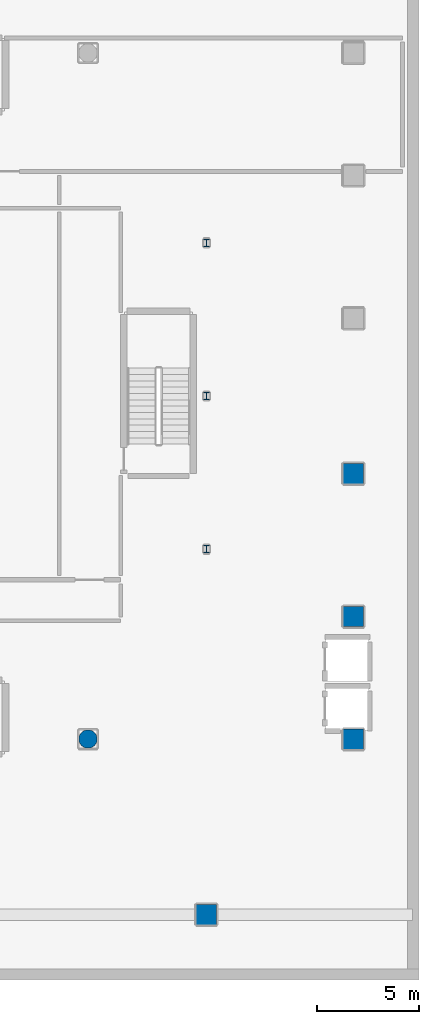
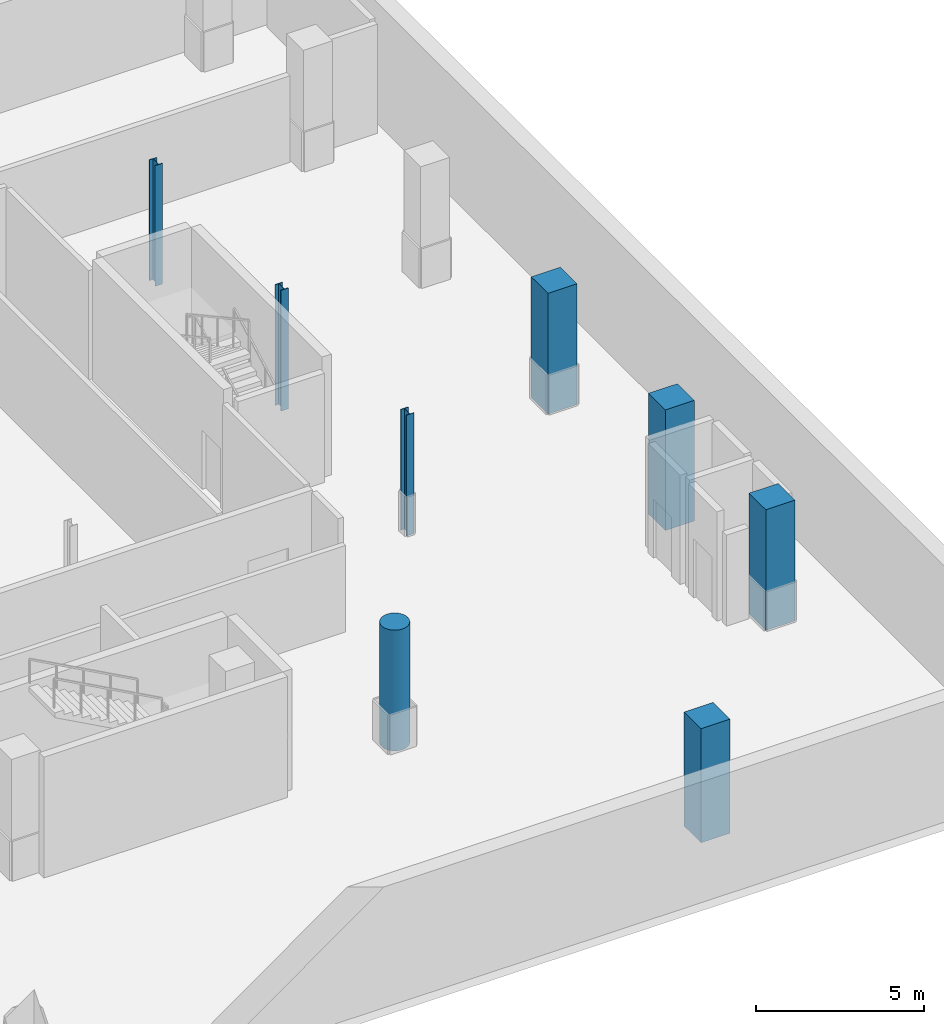
# One storey, part 5 of 22: 8 columns.
"""IFC4 building model written with IfcOpenShell, lengths in metres."""

from ifc_helpers import new_model, si_unit, direction, frame, origin, origin_2d, place, context, subcontext, project, spatial, rectangle, circle, i_section, extrude, material, material_profile, profile_set, type_object, element, save


model = new_model("IFC4")

# Units and contexts
model_context = context("Model", 3, precision=1e-05, world=origin(), true_north=direction((0.0, 1.0)))
body_context = subcontext(model_context, "Body", "Model", "MODEL_VIEW")
ifc_project = project(units=[si_unit("LENGTHUNIT", "METRE"), si_unit("AREAUNIT", "SQUARE_METRE"), si_unit("VOLUMEUNIT", "CUBIC_METRE"), si_unit("PLANEANGLEUNIT", "RADIAN"), si_unit("MASSUNIT", "GRAM", prefix="KILO")], contexts=[model_context])

# Site, building, storey
site_placement = place(None, origin())
site = spatial("IfcSite", under=ifc_project, at=site_placement, CompositionType="ELEMENT")
building_placement = place(site_placement, origin())
building = spatial("IfcBuilding", under=site, at=building_placement, Name="Solanera Arch Residences", CompositionType="ELEMENT")
storey_placement = place(building_placement, frame((0.0, 0.0, -4.39990234375)))
storey = spatial("IfcBuildingStorey", under=building, at=storey_placement, Name="B01", CompositionType="ELEMENT", Elevation=-4.39990234375)

# Columns
ifc_material_1 = material(Name="Concrete C55/67 (f'c = 60 MPa)", Category="concrete")
ifc_material_profile_1 = material_profile(ifc_material_1, rectangle(XDim=1.0, YDim=1.0, at=origin_2d()))
ifc_profile_set_1 = profile_set([ifc_material_profile_1], Name="Concrete C55/67 (f'c = 60 MPa)")
column_type_1 = type_object("IfcColumnType", Name="Structural Column RC-COL-1000X1000", PredefinedType="COLUMN", material=ifc_profile_set_1)
column_1_placement = place(storey_placement, frame((74.60009765625, 5.199951171875, 0.0), z_axis=(0.0, 0.0, 1.0), x_axis=(1.0, 0.0, 0.0)))
element("IfcColumn", 1, at=column_1_placement, inside=storey, type_object=column_type_1, Name="COL-B01-PAD-11", PredefinedType="COLUMN", context=body_context, shape_type="SweptSolid", body=[
    extrude(rectangle(XDim=1.0, YDim=1.0, at=origin_2d()), origin(), (0.0, 0.0, 1.0), 4.159912109375),
])
for number, where, z_axis, x_axis, name in (
    (2, (81.800048828125, 13.800048828125, 0.0), (0.0, 0.0, 1.0), (1.0, 0.0, 0.0), "COL-B01-HALL-07"),
    (3, (81.800048828125, 19.800048828125, 0.0), (0.0, 0.0, 1.0), (1.0, 0.0, 0.0), "COL-B01-HALL-08"),
    (4, (81.800048828125, 26.800048828125, 0.0), (0.0, 0.0, 1.0), (1.0, 0.0, 0.0), "COL-B01-HALL-09"),
):
    element("IfcColumn", number, at=place(storey_placement, frame(where, z_axis=z_axis, x_axis=x_axis)), inside=storey, type_object=column_type_1, Name=name, PredefinedType="COLUMN", context=body_context, shape_type="SweptSolid", body=[
        extrude(rectangle(XDim=1.0, YDim=1.0, at=origin_2d()), origin(), (0.0, 0.0, 1.0), 4.39990234375),
    ])
ifc_material_2 = material(Name="Concrete C40/50 (f'c = 45 MPa)", Category="concrete")
ifc_material_profile_2 = material_profile(ifc_material_2, circle(Radius=0.449951171875, at=origin_2d()))
ifc_profile_set_2 = profile_set([ifc_material_profile_2], Name="Concrete C40/50 (f'c = 45 MPa)")
column_type_2 = type_object("IfcColumnType", Name="Structural Column RC-COL-D900", PredefinedType="COLUMN", material=ifc_profile_set_2)
column_2_placement = place(storey_placement, frame((68.800048828125, 13.800048828125, 0.0), z_axis=(0.0, 0.0, 1.0), x_axis=(1.0, 0.0, 0.0)))
element("IfcColumn", 5, at=column_2_placement, inside=storey, type_object=column_type_2, Name="COL-B01-HALL-13", PredefinedType="COLUMN", context=body_context, shape_type="SweptSolid", body=[
    extrude(circle(Radius=0.449951171875, at=origin_2d()), origin(), (0.0, 0.0, 1.0), 4.39990234375),
])
ifc_material_3 = material(Name="Steel S355 (ASTM A992 / A572 Grade 50)", Category="steel")
ifc_material_profile_3 = material_profile(ifc_material_3, i_section(OverallWidth=0.257080078125, OverallDepth=0.363037109375, WebThickness=0.012939453125, FlangeThickness=0.021728515625, at=origin_2d()))
ifc_profile_set_3 = profile_set([ifc_material_profile_3], Name="Steel S355 (ASTM A992 / A572 Grade 50)")
column_type_3 = type_object("IfcColumnType", Name="Structural Column W360X122", PredefinedType="COLUMN", material=ifc_profile_set_3)
for number, where, z_axis, x_axis, name in (
    (6, (74.60009765625, 23.10009765625, 0.0), (0.0, 0.0, 1.0), (1.0, 0.0, 0.0), "COL-B01-PAD-02"),
    (7, (74.60009765625, 30.60009765625, 0.0), (0.0, 0.0, 1.0), (1.0, 0.0, 0.0), "COL-B01-PAD-04"),
    (8, (74.60009765625, 38.10009765625, 0.0), (0.0, 0.0, 1.0), (1.0, 0.0, 0.0), "COL-B01-PAD-06"),
):
    element("IfcColumn", number, at=place(storey_placement, frame(where, z_axis=z_axis, x_axis=x_axis)), inside=storey, type_object=column_type_3, Name=name, PredefinedType="COLUMN", context=body_context, shape_type="SweptSolid", body=[
        extrude(i_section(OverallWidth=0.257080078125, OverallDepth=0.363037109375, WebThickness=0.012939453125, FlangeThickness=0.021728515625, at=origin_2d()), origin(), (0.0, 0.0, 1.0), 4.39990234375),
    ])

save(model, "model.ifc")
